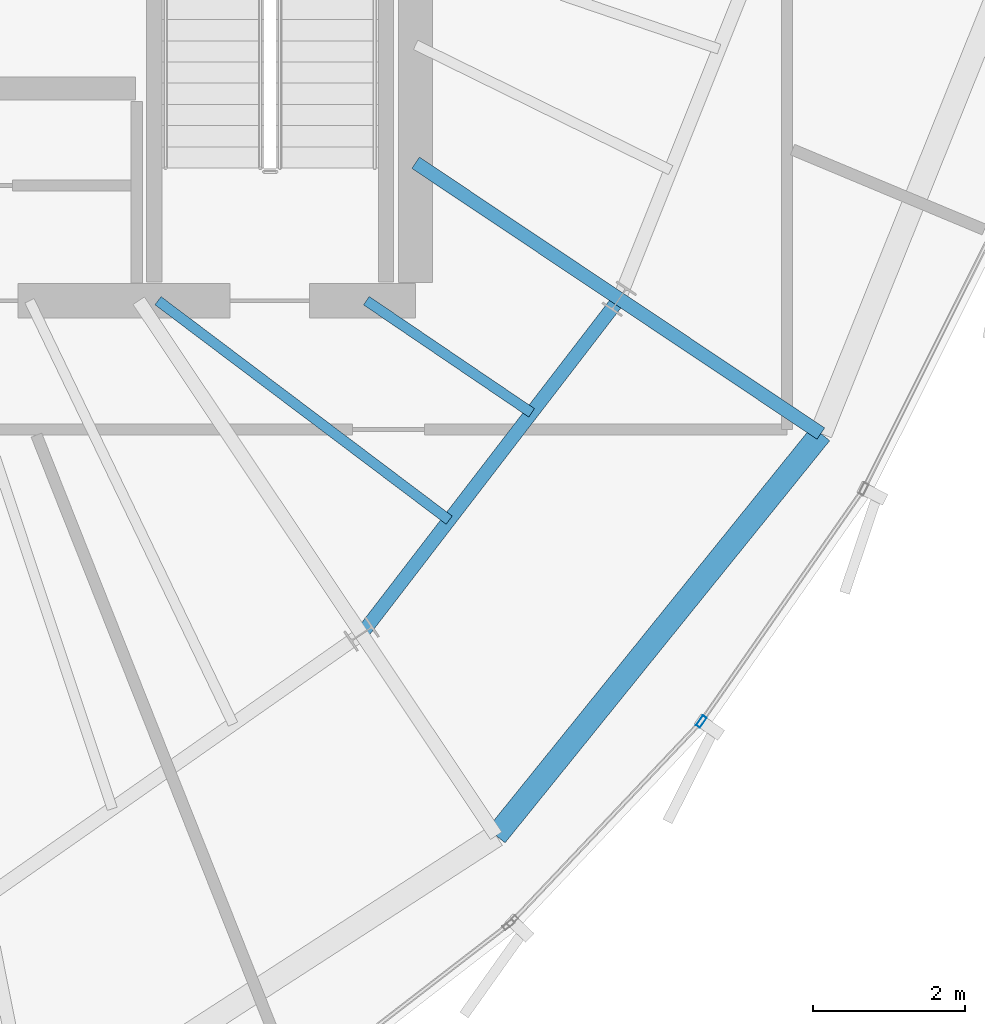
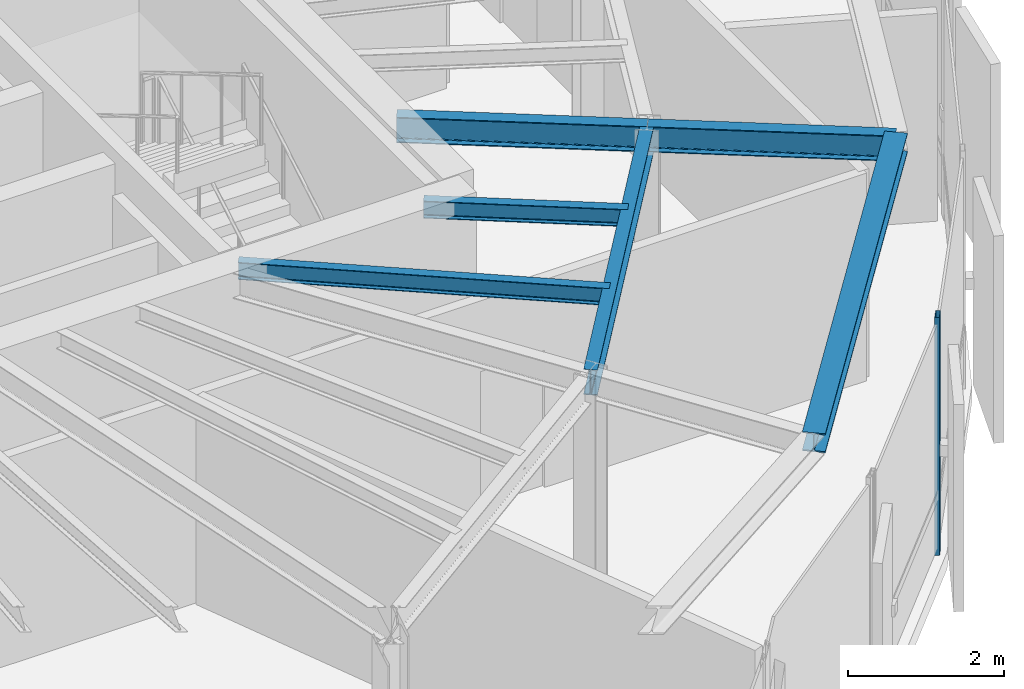
# One storey, part 9 of 25: 6 beams, 1 member, 1 element without a shape of its own.
"""IFC4 building model written with IfcOpenShell, lengths in metres."""

from ifc_helpers import new_model, si_unit, direction, frame, origin, origin_2d, place, context, subcontext, project, spatial, hollow_rectangle, i_section, extrude, source, transform, mapped, material, layer, layer_set, material_profile, profile_set, type_object, element, aggregate, save


model = new_model("IFC4")

# Units and contexts
model_context = context("Model", 3, precision=1e-05, world=origin(), true_north=direction((0.0, 1.0)))
body_context = subcontext(model_context, "Body", "Model", "MODEL_VIEW")
ifc_project = project(units=[si_unit("LENGTHUNIT", "METRE"), si_unit("AREAUNIT", "SQUARE_METRE"), si_unit("VOLUMEUNIT", "CUBIC_METRE"), si_unit("PLANEANGLEUNIT", "RADIAN"), si_unit("MASSUNIT", "GRAM", prefix="KILO"), si_unit("THERMODYNAMICTEMPERATUREUNIT", "KELVIN")], contexts=[model_context])

# Site, building, storey
site_placement = place(None, origin())
site = spatial("IfcSite", under=ifc_project, at=site_placement, CompositionType="ELEMENT")
building_placement = place(site_placement, origin())
building = spatial("IfcBuilding", under=site, at=building_placement, Name="Kethvar Cultural Tower", CompositionType="ELEMENT")
storey_placement = place(building_placement, frame((0.0, 0.0, 304.300048828125)))
storey = spatial("IfcBuildingStorey", under=building, at=storey_placement, Name="L81", CompositionType="ELEMENT", Elevation=304.300048828125)

# Beams
ifc_material_1 = material(Name="Steel S355J2", Category="steel")
ifc_material_profile_1 = material_profile(ifc_material_1, i_section(OverallWidth=0.135009765625, OverallDepth=0.27001953125, WebThickness=0.006591796875, FlangeThickness=0.01025390625, FilletRadius=0.014892578125, at=origin_2d()), Name="Steel S355J2 — IPE270")
ifc_profile_set_1 = profile_set([ifc_material_profile_1], Name="Steel S355J2 — IPE270")
beam_type_1 = type_object("IfcBeamType", Name="BM-J270", PredefinedType="JOIST", material=ifc_profile_set_1)
shared_shape_1 = source(origin(), body_context, "Body", "SweptSolid", [
    extrude(i_section(OverallWidth=0.135009765625, OverallDepth=0.27001953125, WebThickness=0.006591796875, FlangeThickness=0.01025390625, FilletRadius=0.014892578125, at=origin_2d()), origin(), (0.0, 0.0, 1.0), 4.810791015625),
])
beam_1_placement = place(storey_placement, frame((52.199951171875, 20.10009765625, 3.597900390625), z_axis=(0.798542152732, -0.601938892505, 0.0), x_axis=(0.601938892505, 0.798542152732, 0.0)))
element("IfcBeam", 1, at=beam_1_placement, inside=storey, type_object=beam_type_1, Name="L81 Composite Floor Joist J-14A", PredefinedType="JOIST", context=body_context, shape_type="MappedRepresentation", body=[
    mapped(shared_shape_1, transform((0.0, 0.0, 0.0), scale=1.0)),
])
shared_shape_2 = source(origin(), body_context, "Body", "SweptSolid", [
    extrude(i_section(OverallWidth=0.135009765625, OverallDepth=0.27001953125, WebThickness=0.006591796875, FlangeThickness=0.01025390625, FilletRadius=0.014892578125, at=origin_2d()), origin(), (0.0, 0.0, 1.0), 2.635009765625),
])
beam_2_placement = place(storey_placement, frame((54.949951171875, 20.10009765625, 3.597900390625), z_axis=(0.827446562598, -0.561544464887, 0.0), x_axis=(0.561544464887, 0.827446562598, 0.0)))
element("IfcBeam", 2, at=beam_2_placement, inside=storey, type_object=beam_type_1, Name="L81 Composite Floor Joist J-14B", PredefinedType="JOIST", context=body_context, shape_type="MappedRepresentation", body=[
    mapped(shared_shape_2, transform((0.0, 0.0, 0.0), scale=1.0)),
])
ifc_material_profile_2 = material_profile(ifc_material_1, i_section(OverallWidth=0.179931640625, OverallDepth=0.39990234375, WebThickness=0.008544921875, FlangeThickness=0.013427734375, FilletRadius=0.02099609375, at=origin_2d()), Name="Steel S355J2 — IPE400")
ifc_profile_set_2 = profile_set([ifc_material_profile_2], Name="Steel S355J2 — IPE400")
beam_type_2 = type_object("IfcBeamType", Name="BM-IPE400", PredefinedType="BEAM", material=ifc_profile_set_2)
shared_shape_3 = source(origin(), body_context, "Body", "SweptSolid", [
    extrude(i_section(OverallWidth=0.179931640625, OverallDepth=0.39990234375, WebThickness=0.008544921875, FlangeThickness=0.013427734375, FilletRadius=0.02099609375, at=origin_2d()), origin(), (0.0, 0.0, 1.0), 3.199951171875),
])
beam_3_placement = place(storey_placement, frame((58.287109375, 20.12451171875, 3.532958984375), z_axis=(0.831462943996, -0.555580212716, 0.0), x_axis=(0.555580212716, 0.831462943996, 0.0)))
element("IfcBeam", 3, at=beam_3_placement, inside=storey, type_object=beam_type_2, Name="L81 Perimeter Cantilever Beam RC-15", PredefinedType="BEAM", context=body_context, shape_type="MappedRepresentation", body=[
    mapped(shared_shape_3, transform((0.0, 0.0, 0.0), scale=1.0)),
])
shared_shape_4 = source(origin(), body_context, "Body", "SweptSolid", [
    extrude(i_section(OverallWidth=0.179931640625, OverallDepth=0.39990234375, WebThickness=0.008544921875, FlangeThickness=0.013427734375, FilletRadius=0.02099609375, at=origin_2d()), origin(), (0.0, 0.0, 1.0), 3.231689453125),
])
beam_4_placement = place(storey_placement, frame((55.60009765625, 21.919921875, 3.532958984375), z_axis=(0.831468708055, -0.55557158632, 0.0), x_axis=(0.55557158632, 0.831468708055, 0.0)))
element("IfcBeam", 4, at=beam_4_placement, inside=storey, type_object=beam_type_2, Name="L81 Primary Radial Beam RB-15", PredefinedType="BEAM", context=body_context, shape_type="MappedRepresentation", body=[
    mapped(shared_shape_4, transform((0.0, 0.0, 0.0), scale=1.0)),
])
shared_shape_5 = source(origin(), body_context, "Body", "SweptSolid", [
    extrude(i_section(OverallWidth=0.179931640625, OverallDepth=0.39990234375, WebThickness=0.008544921875, FlangeThickness=0.013427734375, FilletRadius=0.02099609375, at=origin_2d()), origin(), (0.0, 0.0, 1.0), 5.5810546875),
])
beam_5_placement = place(storey_placement, frame((54.885009765625, 15.7001953125, 3.532958984375), z_axis=(0.60957334008, 0.79272967843, 0.0), x_axis=(-0.79272967843, 0.60957334008, 0.0)))
element("IfcBeam", 5, at=beam_5_placement, inside=storey, type_object=beam_type_2, Name="L81 Column Ring Tie Beam CR-14", PredefinedType="BEAM", context=body_context, shape_type="MappedRepresentation", body=[
    mapped(shared_shape_5, transform((0.0, 0.0, 0.0), scale=1.0)),
])
ifc_material_profile_3 = material_profile(ifc_material_1, i_section(OverallWidth=0.300048828125, OverallDepth=0.300048828125, WebThickness=0.010986328125, FlangeThickness=0.01904296875, FilletRadius=0.027099609375, at=origin_2d()), Name="Steel S355J2 — HEB300")
ifc_profile_set_3 = profile_set([ifc_material_profile_3], Name="Steel S355J2 — HEB300")
beam_type_3 = type_object("IfcBeamType", Name="BM-SP300", PredefinedType="SPANDREL", material=ifc_profile_set_3)
shared_shape_6 = source(origin(), body_context, "Body", "SweptSolid", [
    extrude(i_section(OverallWidth=0.300048828125, OverallDepth=0.300048828125, WebThickness=0.010986328125, FlangeThickness=0.01904296875, FilletRadius=0.027099609375, at=origin_2d()), origin(), (0.0, 0.0, 1.0), 6.8212890625),
])
beam_6_placement = place(storey_placement, frame((56.66259765625, 13.039306640625, 3.5830078125), z_axis=(0.628197971595, 0.778053538315, 0.0), x_axis=(-0.778053538315, 0.628197971595, 0.0)))
element("IfcBeam", 6, at=beam_6_placement, inside=storey, type_object=beam_type_3, Name="L81 Perimeter Spandrel Beam SP-14", PredefinedType="SPANDREL", context=body_context, shape_type="MappedRepresentation", body=[
    mapped(shared_shape_6, transform((0.0, 0.0, 0.0), scale=1.0)),
])

# Curtain wall, member
ifc_material_2 = material(Name="Aluminium 6063-T6", Category="aluminium")
ifc_layer = layer(ifc_material_2, 0.179931640625, Name="Aluminium 6063-T6", Category="aluminium")
ifc_layer_set = layer_set([ifc_layer], Name="Aluminium 6063-T6 (180 mm)")
curtain_wall_type = type_object("IfcCurtainWallType", Name="CW-SYS-06-CROWN", PredefinedType="NOTDEFINED", material=ifc_layer_set)
curtain_wall_placement = place(storey_placement, origin())
curtain_wall = element("IfcCurtainWall", 7, at=curtain_wall_placement, inside=storey, type_object=curtain_wall_type, Name="L81 Curtain Wall Run 05", PredefinedType="NOTDEFINED")
ifc_material_profile_4 = material_profile(ifc_material_2, hollow_rectangle(XDim=0.06494140625, YDim=0.159912109375, WallThickness=0.0048828125, at=origin_2d()), Name="Aluminium 6063-T6 — RHS160x65x5")
ifc_profile_set_4 = profile_set([ifc_material_profile_4], Name="Aluminium 6063-T6 — RHS160x65x5")
member_type = type_object("IfcMemberType", Name="CW-SYS-06-CROWN-MUL", PredefinedType="MULLION", material=ifc_profile_set_4)
shared_shape_7 = source(origin(), body_context, "Body", "SweptSolid", [
    extrude(hollow_rectangle(XDim=0.06494140625, YDim=0.159912109375, WallThickness=0.0048828125, at=origin_2d()), origin(), (0.0, 0.0, 1.0), 3.73486328125),
])
member_placement = place(storey_placement, frame((59.37060546875, 14.5458984375, 0.0), z_axis=(0.0, 0.0, 1.0), x_axis=(-0.82026170488, 0.571988405046, 0.0)))
member = element("IfcMember", 8, at=member_placement, type_object=member_type, Name="CW-L81-R05 Mullion 2", PredefinedType="MULLION", context=body_context, shape_type="MappedRepresentation", body=[
    mapped(shared_shape_7, transform((0.0, 0.0, 0.0), scale=1.0)),
])
aggregate(curtain_wall, [member])

save(model, "model.ifc")
